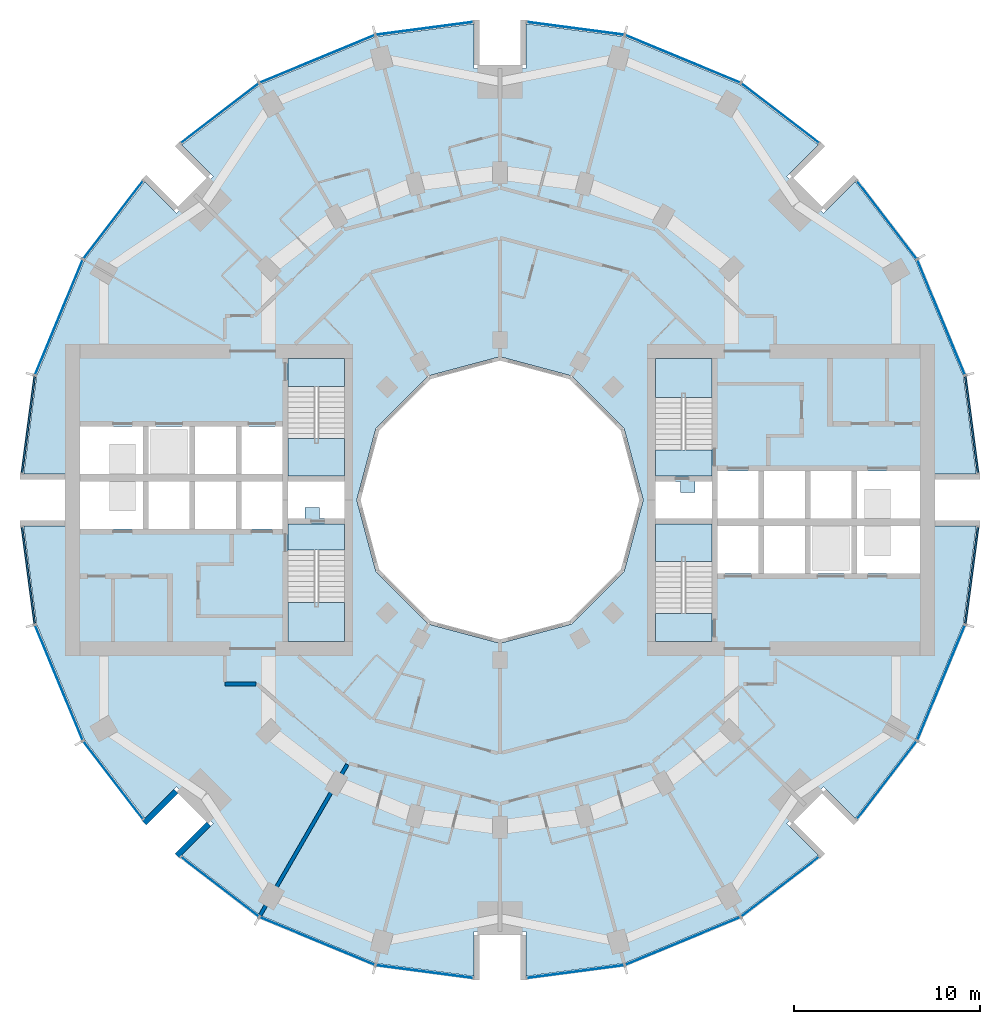
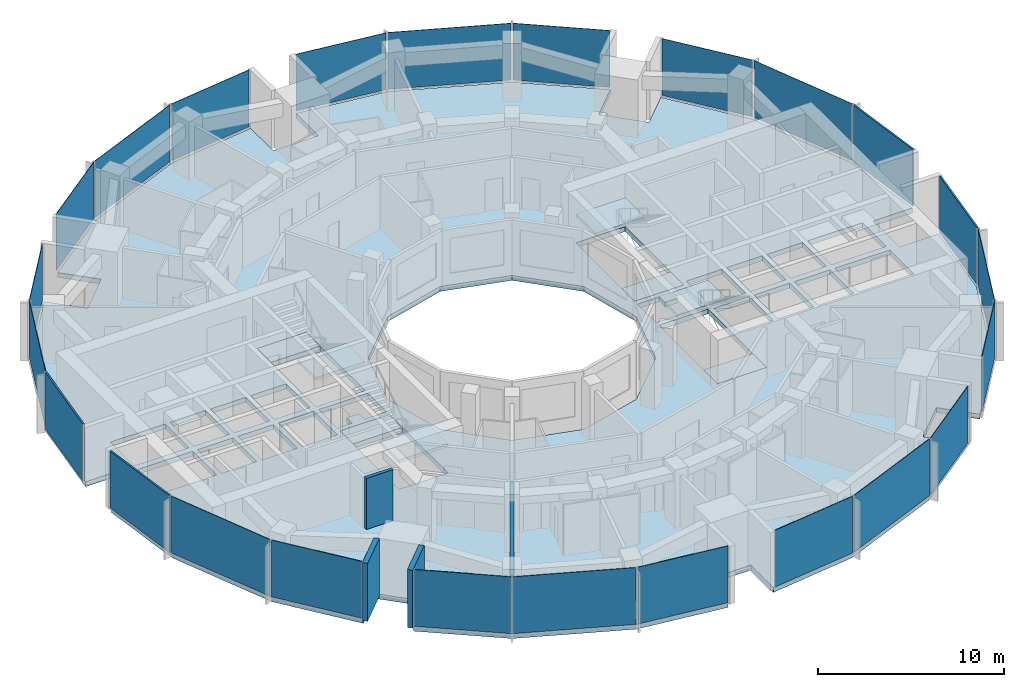
# One storey, part 7 of 15: 24 plates, 9 slabs, 4 walls, 28 elements without a shape of their own.
"""IFC4 building model written with IfcOpenShell, lengths in metres."""

from ifc_helpers import new_model, si_unit, direction, frame, frame_2d, origin, origin_2d, place, context, subcontext, project, spatial, polyline, rectangle, outline, extrude, material, layer, layer_set, type_object, element, aggregate, save


model = new_model("IFC4")

# Units and contexts
model_context = context("Model", 3, precision=1e-05, world=origin(), true_north=direction((0.0, 1.0)))
body_context = subcontext(model_context, "Body", "Model", "MODEL_VIEW")
ifc_project = project(units=[si_unit("LENGTHUNIT", "METRE"), si_unit("AREAUNIT", "SQUARE_METRE"), si_unit("VOLUMEUNIT", "CUBIC_METRE"), si_unit("PLANEANGLEUNIT", "RADIAN"), si_unit("MASSUNIT", "GRAM", prefix="KILO")], contexts=[model_context])

# Site, building, storey
site_placement = place(None, origin())
site = spatial("IfcSite", under=ifc_project, at=site_placement, CompositionType="ELEMENT")
building_placement = place(site_placement, origin())
building = spatial("IfcBuilding", under=site, at=building_placement, Name="Torre Brocal", CompositionType="ELEMENT")
storey_placement = place(building_placement, frame((0.0, 0.0, 63.0)))
storey = spatial("IfcBuildingStorey", under=building, at=storey_placement, Name="L14", CompositionType="ELEMENT", Elevation=63.0)

# Curtain wall, plate
ifc_material_1 = material(Name="Aluminium and glass", Category="aluminium")
ifc_layer_1 = layer(ifc_material_1, 0.199951171875)
ifc_layer_set_1 = layer_set([ifc_layer_1], Name="Aluminium and glass")
curtain_wall_type_1 = type_object("IfcCurtainWallType", Name="CW-1 CURTAIN WALL 3800 HIGH", PredefinedType="NOTDEFINED", material=ifc_layer_set_1)
curtain_wall_1_placement = place(storey_placement, origin())
curtain_wall_1 = element("IfcCurtainWall", 1, at=curtain_wall_1_placement, inside=storey, type_object=curtain_wall_type_1, Name="CW-1 RUN 2", PredefinedType="NOTDEFINED")
ifc_material_2 = material(Name="Glass, dark tinted laminated", Category="glass")
ifc_layer_2 = layer(ifc_material_2, 0.031982421875)
ifc_layer_set_2 = layer_set([ifc_layer_2], Name="Glass, dark tinted laminated")
plate_type_1 = type_object("IfcPlateType", Name="CW-1 GLASS PANEL 32", PredefinedType="CURTAIN_PANEL", material=ifc_layer_set_2)
plate_1_placement = place(storey_placement, frame((103.722900390625, 84.826416015625, 0.080078125), z_axis=(0.0, 0.0, 1.0), x_axis=(-0.382683432333, 0.923879532525, 0.0)))
plate_1 = element("IfcPlate", 2, at=plate_1_placement, type_object=plate_type_1, Name="CW1-1 panel 1.1", PredefinedType="CURTAIN_PANEL", context=body_context, shape_type="SweptSolid", body=[
    extrude(rectangle(XDim=6.64111328125, YDim=0.031982421875, at=origin_2d()), origin(), (0.0, 0.0, 1.0), 3.719970703125),
])
aggregate(curtain_wall_1, [plate_1])

curtain_wall_2_placement = place(storey_placement, origin())
curtain_wall_2 = element("IfcCurtainWall", 3, at=curtain_wall_2_placement, inside=storey, type_object=curtain_wall_type_1, Name="CW-1 RUN 3", PredefinedType="NOTDEFINED")
plate_2_placement = place(storey_placement, frame((100.80126953125, 90.0712890625, 0.080078125), z_axis=(0.0, 0.0, 1.0), x_axis=(-0.60876142905, 0.793353340259, 0.0)))
plate_2 = element("IfcPlate", 4, at=plate_2_placement, type_object=plate_type_1, Name="CW1-1 panel 1.1", PredefinedType="CURTAIN_PANEL", context=body_context, shape_type="SweptSolid", body=[
    extrude(rectangle(XDim=5.22900390625, YDim=0.031982421875, at=origin_2d()), origin(), (0.0, 0.0, 1.0), 3.719970703125),
])
aggregate(curtain_wall_2, [plate_2])

curtain_wall_3_placement = place(storey_placement, origin())
curtain_wall_3 = element("IfcCurtainWall", 5, at=curtain_wall_3_placement, inside=storey, type_object=curtain_wall_type_1, Name="CW-1 RUN 4", PredefinedType="NOTDEFINED")
plate_3_placement = place(storey_placement, frame((95.0712890625, 95.80126953125, 0.080078125), z_axis=(0.0, 0.0, 1.0), x_axis=(-0.793353340259, 0.60876142905, 0.0)))
plate_3 = element("IfcPlate", 6, at=plate_3_placement, type_object=plate_type_1, Name="CW1-1 panel 1.1", PredefinedType="CURTAIN_PANEL", context=body_context, shape_type="SweptSolid", body=[
    extrude(rectangle(XDim=5.22900390625, YDim=0.031982421875, at=origin_2d()), origin(), (0.0, 0.0, 1.0), 3.719970703125),
])
aggregate(curtain_wall_3, [plate_3])

curtain_wall_4_placement = place(storey_placement, origin())
curtain_wall_4 = element("IfcCurtainWall", 7, at=curtain_wall_4_placement, inside=storey, type_object=curtain_wall_type_1, Name="CW-1 RUN 5", PredefinedType="NOTDEFINED")
plate_4_placement = place(storey_placement, frame((89.826416015625, 98.722900390625, 0.080078125), z_axis=(0.0, 0.0, 1.0), x_axis=(-0.923879532525, 0.382683432333, 0.0)))
plate_4 = element("IfcPlate", 8, at=plate_4_placement, type_object=plate_type_1, Name="CW1-1 panel 1.1", PredefinedType="CURTAIN_PANEL", context=body_context, shape_type="SweptSolid", body=[
    extrude(rectangle(XDim=6.64111328125, YDim=0.031982421875, at=origin_2d()), origin(), (0.0, 0.0, 1.0), 3.719970703125),
])
aggregate(curtain_wall_4, [plate_4])

curtain_wall_5_placement = place(storey_placement, origin())
curtain_wall_5 = element("IfcCurtainWall", 9, at=curtain_wall_5_placement, inside=storey, type_object=curtain_wall_type_1, Name="CW-1 RUN 6", PredefinedType="NOTDEFINED")
plate_5_placement = place(storey_placement, frame((84.051513671875, 100.36572265625, 0.080078125), z_axis=(0.0, 0.0, 1.0), x_axis=(-0.991444861374, 0.13052619222, 0.0)))
plate_5 = element("IfcPlate", 10, at=plate_5_placement, type_object=plate_type_1, Name="CW1-1 panel 1.1", PredefinedType="CURTAIN_PANEL", context=body_context, shape_type="SweptSolid", body=[
    extrude(rectangle(XDim=5.22900390625, YDim=0.031982421875, at=origin_2d()), origin(), (0.0, 0.0, 1.0), 3.719970703125),
])
aggregate(curtain_wall_5, [plate_5])

curtain_wall_6_placement = place(storey_placement, origin())
curtain_wall_6 = element("IfcCurtainWall", 11, at=curtain_wall_6_placement, inside=storey, type_object=curtain_wall_type_1, Name="CW-1 RUN 7", PredefinedType="NOTDEFINED")
plate_6_placement = place(storey_placement, frame((75.948486328125, 100.36572265625, 0.080078125), z_axis=(0.0, 0.0, 1.0), x_axis=(-0.991444861374, -0.13052619222, 0.0)))
plate_6 = element("IfcPlate", 12, at=plate_6_placement, type_object=plate_type_1, Name="CW1-1 panel 1.1", PredefinedType="CURTAIN_PANEL", context=body_context, shape_type="SweptSolid", body=[
    extrude(rectangle(XDim=5.22900390625, YDim=0.031982421875, at=origin_2d()), origin(), (0.0, 0.0, 1.0), 3.719970703125),
])
aggregate(curtain_wall_6, [plate_6])

curtain_wall_7_placement = place(storey_placement, origin())
curtain_wall_7 = element("IfcCurtainWall", 13, at=curtain_wall_7_placement, inside=storey, type_object=curtain_wall_type_1, Name="CW-1 RUN 8", PredefinedType="NOTDEFINED")
plate_7_placement = place(storey_placement, frame((70.173583984375, 98.722900390625, 0.080078125), z_axis=(0.0, 0.0, 1.0), x_axis=(-0.923879532525, -0.382683432333, 0.0)))
plate_7 = element("IfcPlate", 14, at=plate_7_placement, type_object=plate_type_1, Name="CW1-1 panel 1.1", PredefinedType="CURTAIN_PANEL", context=body_context, shape_type="SweptSolid", body=[
    extrude(rectangle(XDim=6.64111328125, YDim=0.031982421875, at=origin_2d()), origin(), (0.0, 0.0, 1.0), 3.719970703125),
])
aggregate(curtain_wall_7, [plate_7])

curtain_wall_8_placement = place(storey_placement, origin())
curtain_wall_8 = element("IfcCurtainWall", 15, at=curtain_wall_8_placement, inside=storey, type_object=curtain_wall_type_1, Name="CW-1 RUN 9", PredefinedType="NOTDEFINED")
plate_8_placement = place(storey_placement, frame((64.9287109375, 95.80126953125, 0.080078125), z_axis=(0.0, 0.0, 1.0), x_axis=(-0.793353340259, -0.60876142905, 0.0)))
plate_8 = element("IfcPlate", 16, at=plate_8_placement, type_object=plate_type_1, Name="CW1-1 panel 1.1", PredefinedType="CURTAIN_PANEL", context=body_context, shape_type="SweptSolid", body=[
    extrude(rectangle(XDim=5.22900390625, YDim=0.031982421875, at=origin_2d()), origin(), (0.0, 0.0, 1.0), 3.719970703125),
])
aggregate(curtain_wall_8, [plate_8])

curtain_wall_9_placement = place(storey_placement, origin())
curtain_wall_9 = element("IfcCurtainWall", 17, at=curtain_wall_9_placement, inside=storey, type_object=curtain_wall_type_1, Name="CW-1 RUN 10", PredefinedType="NOTDEFINED")
plate_9_placement = place(storey_placement, frame((59.19873046875, 90.0712890625, 0.080078125), z_axis=(0.0, 0.0, 1.0), x_axis=(-0.60876142905, -0.793353340259, 0.0)))
plate_9 = element("IfcPlate", 18, at=plate_9_placement, type_object=plate_type_1, Name="CW1-1 panel 1.1", PredefinedType="CURTAIN_PANEL", context=body_context, shape_type="SweptSolid", body=[
    extrude(rectangle(XDim=5.22900390625, YDim=0.031982421875, at=origin_2d()), origin(), (0.0, 0.0, 1.0), 3.719970703125),
])
aggregate(curtain_wall_9, [plate_9])

curtain_wall_10_placement = place(storey_placement, origin())
curtain_wall_10 = element("IfcCurtainWall", 19, at=curtain_wall_10_placement, inside=storey, type_object=curtain_wall_type_1, Name="CW-1 RUN 11", PredefinedType="NOTDEFINED")
plate_10_placement = place(storey_placement, frame((56.277099609375, 84.826416015625, 0.080078125), z_axis=(0.0, 0.0, 1.0), x_axis=(-0.382683432333, -0.923879532525, 0.0)))
plate_10 = element("IfcPlate", 20, at=plate_10_placement, type_object=plate_type_1, Name="CW1-1 panel 1.1", PredefinedType="CURTAIN_PANEL", context=body_context, shape_type="SweptSolid", body=[
    extrude(rectangle(XDim=6.64111328125, YDim=0.031982421875, at=origin_2d()), origin(), (0.0, 0.0, 1.0), 3.719970703125),
])
aggregate(curtain_wall_10, [plate_10])

curtain_wall_11_placement = place(storey_placement, origin())
curtain_wall_11 = element("IfcCurtainWall", 21, at=curtain_wall_11_placement, inside=storey, type_object=curtain_wall_type_1, Name="CW-1 RUN 14", PredefinedType="NOTDEFINED")
plate_11_placement = place(storey_placement, frame((56.277099609375, 65.173583984375, 0.080078125), z_axis=(0.0, 0.0, 1.0), x_axis=(0.382683432333, -0.923879532525, 0.0)))
plate_11 = element("IfcPlate", 22, at=plate_11_placement, type_object=plate_type_1, Name="CW1-1 panel 1.1", PredefinedType="CURTAIN_PANEL", context=body_context, shape_type="SweptSolid", body=[
    extrude(rectangle(XDim=6.64111328125, YDim=0.031982421875, at=origin_2d()), origin(), (0.0, 0.0, 1.0), 3.719970703125),
])
aggregate(curtain_wall_11, [plate_11])

curtain_wall_12_placement = place(storey_placement, origin())
curtain_wall_12 = element("IfcCurtainWall", 23, at=curtain_wall_12_placement, inside=storey, type_object=curtain_wall_type_1, Name="CW-1 RUN 15", PredefinedType="NOTDEFINED")
plate_12_placement = place(storey_placement, frame((59.19873046875, 59.9287109375, 0.080078125), z_axis=(0.0, 0.0, 1.0), x_axis=(0.60876142905, -0.793353340259, 0.0)))
plate_12 = element("IfcPlate", 24, at=plate_12_placement, type_object=plate_type_1, Name="CW1-1 panel 1.1", PredefinedType="CURTAIN_PANEL", context=body_context, shape_type="SweptSolid", body=[
    extrude(rectangle(XDim=5.22900390625, YDim=0.031982421875, at=origin_2d()), origin(), (0.0, 0.0, 1.0), 3.719970703125),
])
aggregate(curtain_wall_12, [plate_12])

curtain_wall_13_placement = place(storey_placement, origin())
curtain_wall_13 = element("IfcCurtainWall", 25, at=curtain_wall_13_placement, inside=storey, type_object=curtain_wall_type_1, Name="CW-1 RUN 16", PredefinedType="NOTDEFINED")
plate_13_placement = place(storey_placement, frame((64.9287109375, 54.19873046875, 0.080078125), z_axis=(0.0, 0.0, 1.0), x_axis=(0.793353340259, -0.60876142905, 0.0)))
plate_13 = element("IfcPlate", 26, at=plate_13_placement, type_object=plate_type_1, Name="CW1-1 panel 1.1", PredefinedType="CURTAIN_PANEL", context=body_context, shape_type="SweptSolid", body=[
    extrude(rectangle(XDim=5.22900390625, YDim=0.031982421875, at=origin_2d()), origin(), (0.0, 0.0, 1.0), 3.719970703125),
])
aggregate(curtain_wall_13, [plate_13])

curtain_wall_14_placement = place(storey_placement, origin())
curtain_wall_14 = element("IfcCurtainWall", 27, at=curtain_wall_14_placement, inside=storey, type_object=curtain_wall_type_1, Name="CW-1 RUN 17", PredefinedType="NOTDEFINED")
plate_14_placement = place(storey_placement, frame((70.173583984375, 51.277099609375, 0.080078125), z_axis=(0.0, 0.0, 1.0), x_axis=(0.923879532525, -0.382683432333, 0.0)))
plate_14 = element("IfcPlate", 28, at=plate_14_placement, type_object=plate_type_1, Name="CW1-1 panel 1.1", PredefinedType="CURTAIN_PANEL", context=body_context, shape_type="SweptSolid", body=[
    extrude(rectangle(XDim=6.64111328125, YDim=0.031982421875, at=origin_2d()), origin(), (0.0, 0.0, 1.0), 3.719970703125),
])
aggregate(curtain_wall_14, [plate_14])

curtain_wall_15_placement = place(storey_placement, origin())
curtain_wall_15 = element("IfcCurtainWall", 29, at=curtain_wall_15_placement, inside=storey, type_object=curtain_wall_type_1, Name="CW-1 RUN 18", PredefinedType="NOTDEFINED")
plate_15_placement = place(storey_placement, frame((75.948486328125, 49.63427734375, 0.080078125), z_axis=(0.0, 0.0, 1.0), x_axis=(0.991444861374, -0.13052619222, 0.0)))
plate_15 = element("IfcPlate", 30, at=plate_15_placement, type_object=plate_type_1, Name="CW1-1 panel 1.1", PredefinedType="CURTAIN_PANEL", context=body_context, shape_type="SweptSolid", body=[
    extrude(rectangle(XDim=5.22900390625, YDim=0.031982421875, at=origin_2d()), origin(), (0.0, 0.0, 1.0), 3.719970703125),
])
aggregate(curtain_wall_15, [plate_15])

curtain_wall_16_placement = place(storey_placement, origin())
curtain_wall_16 = element("IfcCurtainWall", 31, at=curtain_wall_16_placement, inside=storey, type_object=curtain_wall_type_1, Name="CW-1 RUN 19", PredefinedType="NOTDEFINED")
plate_16_placement = place(storey_placement, frame((84.051513671875, 49.63427734375, 0.080078125), z_axis=(0.0, 0.0, 1.0), x_axis=(0.991444861374, 0.13052619222, 0.0)))
plate_16 = element("IfcPlate", 32, at=plate_16_placement, type_object=plate_type_1, Name="CW1-1 panel 1.1", PredefinedType="CURTAIN_PANEL", context=body_context, shape_type="SweptSolid", body=[
    extrude(rectangle(XDim=5.22900390625, YDim=0.031982421875, at=origin_2d()), origin(), (0.0, 0.0, 1.0), 3.719970703125),
])
aggregate(curtain_wall_16, [plate_16])

curtain_wall_17_placement = place(storey_placement, origin())
curtain_wall_17 = element("IfcCurtainWall", 33, at=curtain_wall_17_placement, inside=storey, type_object=curtain_wall_type_1, Name="CW-1 RUN 20", PredefinedType="NOTDEFINED")
plate_17_placement = place(storey_placement, frame((89.826416015625, 51.277099609375, 0.080078125), z_axis=(0.0, 0.0, 1.0), x_axis=(0.923879532525, 0.382683432333, 0.0)))
plate_17 = element("IfcPlate", 34, at=plate_17_placement, type_object=plate_type_1, Name="CW1-1 panel 1.1", PredefinedType="CURTAIN_PANEL", context=body_context, shape_type="SweptSolid", body=[
    extrude(rectangle(XDim=6.64111328125, YDim=0.031982421875, at=origin_2d()), origin(), (0.0, 0.0, 1.0), 3.719970703125),
])
aggregate(curtain_wall_17, [plate_17])

curtain_wall_18_placement = place(storey_placement, origin())
curtain_wall_18 = element("IfcCurtainWall", 35, at=curtain_wall_18_placement, inside=storey, type_object=curtain_wall_type_1, Name="CW-1 RUN 21", PredefinedType="NOTDEFINED")
plate_18_placement = place(storey_placement, frame((95.0712890625, 54.19873046875, 0.080078125), z_axis=(0.0, 0.0, 1.0), x_axis=(0.793353340259, 0.60876142905, 0.0)))
plate_18 = element("IfcPlate", 36, at=plate_18_placement, type_object=plate_type_1, Name="CW1-1 panel 1.1", PredefinedType="CURTAIN_PANEL", context=body_context, shape_type="SweptSolid", body=[
    extrude(rectangle(XDim=5.22900390625, YDim=0.031982421875, at=origin_2d()), origin(), (0.0, 0.0, 1.0), 3.719970703125),
])
aggregate(curtain_wall_18, [plate_18])

curtain_wall_19_placement = place(storey_placement, origin())
curtain_wall_19 = element("IfcCurtainWall", 37, at=curtain_wall_19_placement, inside=storey, type_object=curtain_wall_type_1, Name="CW-1 RUN 22", PredefinedType="NOTDEFINED")
plate_19_placement = place(storey_placement, frame((100.80126953125, 59.9287109375, 0.080078125), z_axis=(0.0, 0.0, 1.0), x_axis=(0.60876142905, 0.793353340259, 0.0)))
plate_19 = element("IfcPlate", 38, at=plate_19_placement, type_object=plate_type_1, Name="CW1-1 panel 1.1", PredefinedType="CURTAIN_PANEL", context=body_context, shape_type="SweptSolid", body=[
    extrude(rectangle(XDim=5.22900390625, YDim=0.031982421875, at=origin_2d()), origin(), (0.0, 0.0, 1.0), 3.719970703125),
])
aggregate(curtain_wall_19, [plate_19])

curtain_wall_20_placement = place(storey_placement, origin())
curtain_wall_20 = element("IfcCurtainWall", 39, at=curtain_wall_20_placement, inside=storey, type_object=curtain_wall_type_1, Name="CW-1 RUN 23", PredefinedType="NOTDEFINED")
plate_20_placement = place(storey_placement, frame((103.722900390625, 65.173583984375, 0.080078125), z_axis=(0.0, 0.0, 1.0), x_axis=(0.382683432333, 0.923879532525, 0.0)))
plate_20 = element("IfcPlate", 40, at=plate_20_placement, type_object=plate_type_1, Name="CW1-1 panel 1.1", PredefinedType="CURTAIN_PANEL", context=body_context, shape_type="SweptSolid", body=[
    extrude(rectangle(XDim=6.64111328125, YDim=0.031982421875, at=origin_2d()), origin(), (0.0, 0.0, 1.0), 3.719970703125),
])
aggregate(curtain_wall_20, [plate_20])

ifc_material_3 = material(Name="Aluminium and glass", Category="aluminium")
ifc_layer_3 = layer(ifc_material_3, 0.199951171875)
ifc_layer_set_3 = layer_set([ifc_layer_3], Name="Aluminium and glass")
curtain_wall_type_2 = type_object("IfcCurtainWallType", Name="CW-1B CURTAIN WALL 3800 HIGH", PredefinedType="NOTDEFINED", material=ifc_layer_set_3)
curtain_wall_21_placement = place(storey_placement, origin())
curtain_wall_21 = element("IfcCurtainWall", 41, at=curtain_wall_21_placement, inside=storey, type_object=curtain_wall_type_2, Name="CW-1B RUN 1", PredefinedType="NOTDEFINED")
ifc_material_4 = material(Name="Aluminium composite panel", Category="aluminium")
ifc_layer_4 = layer(ifc_material_4, 0.10009765625)
ifc_layer_set_4 = layer_set([ifc_layer_4], Name="Aluminium composite panel")
plate_type_2 = type_object("IfcPlateType", Name="CW-1B OPAQUE PANEL 100", PredefinedType="CURTAIN_PANEL", material=ifc_layer_set_4)
plate_21_placement = place(storey_placement, frame((105.36572265625, 79.051513671875, 0.080078125), z_axis=(0.0, 0.0, 1.0), x_axis=(-0.13052619222, 0.991444861374, 0.0)))
plate_21 = element("IfcPlate", 42, at=plate_21_placement, type_object=plate_type_2, Name="CW1B-1 panel 1.1", PredefinedType="CURTAIN_PANEL", context=body_context, shape_type="SweptSolid", body=[
    extrude(rectangle(XDim=5.22900390625, YDim=0.10009765625, at=origin_2d()), origin(), (0.0, 0.0, 1.0), 3.719970703125),
])
aggregate(curtain_wall_21, [plate_21])

curtain_wall_22_placement = place(storey_placement, origin())
curtain_wall_22 = element("IfcCurtainWall", 43, at=curtain_wall_22_placement, inside=storey, type_object=curtain_wall_type_2, Name="CW-1B RUN 12", PredefinedType="NOTDEFINED")
plate_22_placement = place(storey_placement, frame((54.63427734375, 79.051513671875, 0.080078125), z_axis=(0.0, 0.0, 1.0), x_axis=(-0.13052619222, -0.991444861374, 0.0)))
plate_22 = element("IfcPlate", 44, at=plate_22_placement, type_object=plate_type_2, Name="CW1B-1 panel 1.1", PredefinedType="CURTAIN_PANEL", context=body_context, shape_type="SweptSolid", body=[
    extrude(rectangle(XDim=5.22900390625, YDim=0.10009765625, at=origin_2d()), origin(), (0.0, 0.0, 1.0), 3.719970703125),
])
aggregate(curtain_wall_22, [plate_22])

curtain_wall_23_placement = place(storey_placement, origin())
curtain_wall_23 = element("IfcCurtainWall", 45, at=curtain_wall_23_placement, inside=storey, type_object=curtain_wall_type_2, Name="CW-1B RUN 13", PredefinedType="NOTDEFINED")
plate_23_placement = place(storey_placement, frame((54.63427734375, 70.948486328125, 0.080078125), z_axis=(0.0, 0.0, 1.0), x_axis=(0.13052619222, -0.991444861374, 0.0)))
plate_23 = element("IfcPlate", 46, at=plate_23_placement, type_object=plate_type_2, Name="CW1B-1 panel 1.1", PredefinedType="CURTAIN_PANEL", context=body_context, shape_type="SweptSolid", body=[
    extrude(rectangle(XDim=5.22900390625, YDim=0.10009765625, at=origin_2d()), origin(), (0.0, 0.0, 1.0), 3.719970703125),
])
aggregate(curtain_wall_23, [plate_23])

curtain_wall_24_placement = place(storey_placement, origin())
curtain_wall_24 = element("IfcCurtainWall", 47, at=curtain_wall_24_placement, inside=storey, type_object=curtain_wall_type_2, Name="CW-1B RUN 24", PredefinedType="NOTDEFINED")
plate_24_placement = place(storey_placement, frame((105.36572265625, 70.948486328125, 0.080078125), z_axis=(0.0, 0.0, 1.0), x_axis=(0.13052619222, 0.991444861374, 0.0)))
plate_24 = element("IfcPlate", 48, at=plate_24_placement, type_object=plate_type_2, Name="CW1B-1 panel 1.1", PredefinedType="CURTAIN_PANEL", context=body_context, shape_type="SweptSolid", body=[
    extrude(rectangle(XDim=5.22900390625, YDim=0.10009765625, at=origin_2d()), origin(), (0.0, 0.0, 1.0), 3.719970703125),
])
aggregate(curtain_wall_24, [plate_24])

# Stair, slab
ifc_material_5 = material(Name="Concrete C50", Category="concrete")
stair_type = type_object("IfcStairType", Name="EXIT STAIR", PredefinedType="HALF_TURN_STAIR", material=ifc_material_5)
stair_1_placement = place(storey_placement, origin())
stair_1 = element("IfcStair", 49, at=stair_1_placement, inside=storey, type_object=stair_type, Name="EXIT STAIR ST1", PredefinedType="HALF_TURN_STAIR")
ifc_material_6 = material(Name="Concrete C50", Category="concrete")
ifc_layer_5 = layer(ifc_material_6, 0.320068359375)
ifc_layer_set_5 = layer_set([ifc_layer_5], Name="Concrete C50")
slab_type_1 = type_object("IfcSlabType", Name="FLOOR LANDING 320", PredefinedType="LANDING", material=ifc_layer_set_5)
slab_1_placement = place(storey_placement, frame((0.0, 0.0, -0.320068359375)))
slab_1 = element("IfcSlab", 50, at=slab_1_placement, type_object=slab_type_1, Name="ST1 landing 1", PredefinedType="LANDING", context=body_context, shape_type="SweptSolid", body=[
    extrude(outline(polyline([(88.35009765625, 76.300048828125), (91.39990234375, 76.300048828125), (91.39990234375, 77.699951171875), (88.35009765625, 77.699951171875), (88.35009765625, 76.300048828125)])), origin(), (0.0, 0.0, 1.0), 0.320068359375),
])

stair_2_placement = place(storey_placement, origin())
stair_2 = element("IfcStair", 51, at=stair_2_placement, inside=storey, type_object=stair_type, Name="EXIT STAIR ST2", PredefinedType="HALF_TURN_STAIR")
slab_2_placement = place(storey_placement, frame((0.0, 0.0, -0.320068359375)))
slab_2 = element("IfcSlab", 52, at=slab_2_placement, type_object=slab_type_1, Name="ST2 landing 1", PredefinedType="LANDING", context=body_context, shape_type="SweptSolid", body=[
    extrude(outline(polyline([(88.35009765625, 67.39990234375), (91.39990234375, 67.39990234375), (91.39990234375, 68.89990234375), (88.35009765625, 68.89990234375), (88.35009765625, 67.39990234375)])), origin(), (0.0, 0.0, 1.0), 0.320068359375),
])

stair_3_placement = place(storey_placement, origin())
stair_3 = element("IfcStair", 53, at=stair_3_placement, inside=storey, type_object=stair_type, Name="EXIT STAIR ST3", PredefinedType="HALF_TURN_STAIR")
slab_3_placement = place(storey_placement, frame((0.0, 0.0, -0.320068359375)))
slab_3 = element("IfcSlab", 54, at=slab_3_placement, type_object=slab_type_1, Name="ST3 landing 1", PredefinedType="LANDING", context=body_context, shape_type="SweptSolid", body=[
    extrude(outline(polyline([(71.64990234375, 73.699951171875), (68.60009765625, 73.699951171875), (68.60009765625, 72.300048828125), (71.64990234375, 72.300048828125), (71.64990234375, 73.699951171875)])), origin(), (0.0, 0.0, 1.0), 0.320068359375),
])

stair_4_placement = place(storey_placement, origin())
stair_4 = element("IfcStair", 55, at=stair_4_placement, inside=storey, type_object=stair_type, Name="EXIT STAIR ST4", PredefinedType="HALF_TURN_STAIR")
slab_4_placement = place(storey_placement, frame((0.0, 0.0, -0.320068359375)))
slab_4 = element("IfcSlab", 56, at=slab_4_placement, type_object=slab_type_1, Name="ST4 landing 1", PredefinedType="LANDING", context=body_context, shape_type="SweptSolid", body=[
    extrude(outline(polyline([(71.64990234375, 82.60009765625), (68.60009765625, 82.60009765625), (68.60009765625, 81.10009765625), (71.64990234375, 81.10009765625), (71.64990234375, 82.60009765625)])), origin(), (0.0, 0.0, 1.0), 0.320068359375),
])

# Slab
ifc_material_7 = material(Name="Concrete C50", Category="concrete")
ifc_layer_6 = layer(ifc_material_7, 0.199951171875)
ifc_layer_set_6 = layer_set([ifc_layer_6], Name="Concrete C50")
slab_type_2 = type_object("IfcSlabType", Name="MID LANDING +1900", PredefinedType="LANDING", material=ifc_layer_set_6)
slab_5_placement = place(storey_placement, frame((0.0, 0.0, 1.699951171875)))
slab_5 = element("IfcSlab", 57, at=slab_5_placement, type_object=slab_type_2, Name="ST1 landing 2", PredefinedType="LANDING", context=body_context, shape_type="SweptSolid", body=[
    extrude(outline(polyline([(88.35009765625, 80.5), (91.39990234375, 80.5), (91.39990234375, 82.60009765625), (88.35009765625, 82.60009765625), (88.35009765625, 80.5)])), origin(), (0.0, 0.0, 1.0), 0.199951171875),
])

aggregate(stair_1, [slab_1, slab_5])

slab_6_placement = place(storey_placement, frame((0.0, 0.0, 1.699951171875)))
slab_6 = element("IfcSlab", 58, at=slab_6_placement, type_object=slab_type_2, Name="ST2 landing 2", PredefinedType="LANDING", context=body_context, shape_type="SweptSolid", body=[
    extrude(outline(polyline([(88.35009765625, 71.699951171875), (91.39990234375, 71.699951171875), (91.39990234375, 73.699951171875), (88.35009765625, 73.699951171875), (88.35009765625, 71.699951171875)])), origin(), (0.0, 0.0, 1.0), 0.199951171875),
])

aggregate(stair_2, [slab_2, slab_6])

slab_7_placement = place(storey_placement, frame((0.0, 0.0, 1.699951171875)))
slab_7 = element("IfcSlab", 59, at=slab_7_placement, type_object=slab_type_2, Name="ST3 landing 2", PredefinedType="LANDING", context=body_context, shape_type="SweptSolid", body=[
    extrude(outline(polyline([(71.64990234375, 69.5), (68.60009765625, 69.5), (68.60009765625, 67.39990234375), (71.64990234375, 67.39990234375), (71.64990234375, 69.5)])), origin(), (0.0, 0.0, 1.0), 0.199951171875),
])

aggregate(stair_3, [slab_3, slab_7])

slab_8_placement = place(storey_placement, frame((0.0, 0.0, 1.699951171875)))
slab_8 = element("IfcSlab", 60, at=slab_8_placement, type_object=slab_type_2, Name="ST4 landing 2", PredefinedType="LANDING", context=body_context, shape_type="SweptSolid", body=[
    extrude(outline(polyline([(71.64990234375, 78.300048828125), (68.60009765625, 78.300048828125), (68.60009765625, 76.300048828125), (71.64990234375, 76.300048828125), (71.64990234375, 78.300048828125)])), origin(), (0.0, 0.0, 1.0), 0.199951171875),
])

aggregate(stair_4, [slab_4, slab_8])

ifc_material_8 = material(Name="Concrete C45", Category="concrete")
ifc_layer_7 = layer(ifc_material_8, 0.320068359375)
ifc_layer_set_7 = layer_set([ifc_layer_7], Name="Concrete C45")
slab_type_3 = type_object("IfcSlabType", Name="PT FLOOR SLAB 320 C45", PredefinedType="FLOOR", material=ifc_layer_set_7)
slab_9_placement = place(storey_placement, frame((0.0, 0.0, -0.320068359375)))
element("IfcSlab", 61, at=slab_9_placement, inside=storey, type_object=slab_type_3, Name="Slab ST-05", PredefinedType="FLOOR", context=body_context, shape_type="SweptSolid", body=[
    extrude(outline(polyline([(103.199951171875, 76.39990234375), (103.199951171875, 73.60009765625), (105.614013671875, 73.60009765625), (104.919189453125, 68.322998046875), (102.342041015625, 62.100830078125), (99.101806640625, 57.878173828125), (97.394775390625, 59.5849609375), (95.4150390625, 57.605224609375), (97.121826171875, 55.898193359375), (92.899169921875, 52.657958984375), (86.677001953125, 50.080810546875), (81.39990234375, 49.385986328125), (81.39990234375, 51.800048828125), (78.60009765625, 51.800048828125), (78.60009765625, 49.385986328125), (73.322998046875, 50.080810546875), (67.100830078125, 52.657958984375), (62.878173828125, 55.898193359375), (64.5849609375, 57.605224609375), (62.605224609375, 59.5849609375), (60.898193359375, 57.878173828125), (57.657958984375, 62.100830078125), (55.080810546875, 68.322998046875), (54.385986328125, 73.60009765625), (56.800048828125, 73.60009765625), (56.800048828125, 76.39990234375), (54.385986328125, 76.39990234375), (55.080810546875, 81.677001953125), (57.657958984375, 87.899169921875), (60.898193359375, 92.121826171875), (62.605224609375, 90.4150390625), (64.5849609375, 92.394775390625), (62.878173828125, 94.101806640625), (67.100830078125, 97.342041015625), (73.322998046875, 99.919189453125), (78.60009765625, 100.614013671875), (78.60009765625, 98.199951171875), (81.39990234375, 98.199951171875), (81.39990234375, 100.614013671875), (86.677001953125, 99.919189453125), (92.899169921875, 97.342041015625), (97.121826171875, 94.101806640625), (95.4150390625, 92.394775390625), (97.394775390625, 90.4150390625), (99.101806640625, 92.121826171875), (102.342041015625, 87.899169921875), (104.919189453125, 81.677001953125), (105.614013671875, 76.39990234375), (103.199951171875, 76.39990234375)]), holes=[polyline([(102.60009765625, 74.0), (102.60009765625, 76.550048828125), (99.199951171875, 76.550048828125), (99.199951171875, 74.0), (102.60009765625, 74.0)]), polyline([(102.60009765625, 71.050048828125), (102.60009765625, 73.60009765625), (99.199951171875, 73.60009765625), (99.199951171875, 71.050048828125), (102.60009765625, 71.050048828125)]), polyline([(98.89990234375, 76.550048828125), (96.699951171875, 76.550048828125), (96.699951171875, 74.0), (98.89990234375, 74.0), (98.89990234375, 76.550048828125)]), polyline([(98.89990234375, 71.050048828125), (98.89990234375, 73.60009765625), (96.699951171875, 73.60009765625), (96.699951171875, 71.050048828125), (98.89990234375, 71.050048828125)]), polyline([(96.39990234375, 73.60009765625), (94.199951171875, 73.60009765625), (94.199951171875, 71.050048828125), (96.39990234375, 71.050048828125), (96.39990234375, 73.60009765625)]), polyline([(96.39990234375, 74.0), (96.39990234375, 76.550048828125), (94.199951171875, 76.550048828125), (94.199951171875, 74.0), (96.39990234375, 74.0)]), polyline([(93.89990234375, 73.60009765625), (91.699951171875, 73.60009765625), (91.699951171875, 71.050048828125), (93.89990234375, 71.050048828125), (93.89990234375, 73.60009765625)]), polyline([(93.89990234375, 74.0), (93.89990234375, 76.550048828125), (91.699951171875, 76.550048828125), (91.699951171875, 74.0), (93.89990234375, 74.0)]), polyline([(91.39990234375, 76.300048828125), (91.39990234375, 82.60009765625), (88.35009765625, 82.60009765625), (88.35009765625, 76.300048828125), (91.39990234375, 76.300048828125)]), polyline([(91.39990234375, 73.699951171875), (88.35009765625, 73.699951171875), (88.35009765625, 67.39990234375), (91.39990234375, 67.39990234375), (91.39990234375, 73.699951171875)]), polyline([(89.699951171875, 76.0), (88.35009765625, 76.0), (88.35009765625, 74.0), (91.39990234375, 74.0), (91.39990234375, 76.0), (90.5, 76.0), (90.5, 75.39990234375), (89.699951171875, 75.39990234375), (89.699951171875, 76.0)]), polyline([(80.0, 82.70703125), (76.146484375, 81.674560546875), (73.325439453125, 78.853515625), (72.29296875, 75.0), (73.325439453125, 71.146484375), (76.146484375, 68.325439453125), (80.0, 67.29296875), (83.853515625, 68.325439453125), (86.674560546875, 71.146484375), (87.70703125, 75.0), (86.674560546875, 78.853515625), (83.853515625, 81.674560546875), (80.0, 82.70703125)]), polyline([(68.60009765625, 82.60009765625), (68.60009765625, 76.300048828125), (71.64990234375, 76.300048828125), (71.64990234375, 82.60009765625), (68.60009765625, 82.60009765625)]), polyline([(70.300048828125, 74.0), (71.64990234375, 74.0), (71.64990234375, 76.0), (68.60009765625, 76.0), (68.60009765625, 74.0), (69.5, 74.0), (69.5, 74.60009765625), (70.300048828125, 74.60009765625), (70.300048828125, 74.0)]), polyline([(68.60009765625, 67.39990234375), (71.64990234375, 67.39990234375), (71.64990234375, 73.699951171875), (68.60009765625, 73.699951171875), (68.60009765625, 67.39990234375)]), polyline([(66.10009765625, 78.949951171875), (66.10009765625, 76.39990234375), (68.300048828125, 76.39990234375), (68.300048828125, 78.949951171875), (66.10009765625, 78.949951171875)]), polyline([(66.10009765625, 76.0), (66.10009765625, 73.449951171875), (68.300048828125, 73.449951171875), (68.300048828125, 76.0), (66.10009765625, 76.0)]), polyline([(63.60009765625, 76.0), (63.60009765625, 73.449951171875), (65.800048828125, 73.449951171875), (65.800048828125, 76.0), (63.60009765625, 76.0)]), polyline([(63.60009765625, 76.39990234375), (65.800048828125, 76.39990234375), (65.800048828125, 78.949951171875), (63.60009765625, 78.949951171875), (63.60009765625, 76.39990234375)]), polyline([(61.10009765625, 78.949951171875), (61.10009765625, 76.39990234375), (63.300048828125, 76.39990234375), (63.300048828125, 78.949951171875), (61.10009765625, 78.949951171875)]), polyline([(61.10009765625, 73.449951171875), (63.300048828125, 73.449951171875), (63.300048828125, 76.0), (61.10009765625, 76.0), (61.10009765625, 73.449951171875)]), polyline([(57.39990234375, 73.449951171875), (60.800048828125, 73.449951171875), (60.800048828125, 76.0), (57.39990234375, 76.0), (57.39990234375, 73.449951171875)]), polyline([(57.39990234375, 78.949951171875), (57.39990234375, 76.39990234375), (60.800048828125, 76.39990234375), (60.800048828125, 78.949951171875), (57.39990234375, 78.949951171875)])]), origin(), (0.0, 0.0, 1.0), 0.320068359375),
])

# Walls
ifc_material_9 = material(Name="Concrete C80", Category="concrete")
ifc_layer_8 = layer(ifc_material_9, 0.300048828125)
ifc_layer_set_8 = layer_set([ifc_layer_8], Name="Concrete C80")
wall_type_1 = type_object("IfcWallType", Name="NOTCH RETURN WALL 300 C80", PredefinedType="NOTDEFINED", material=ifc_layer_set_8)
for number, where, z_axis, x_axis, name in (
    (62, (62.56982421875, 59.337646484375, 0.0), (0.0, 0.0, 1.0), (-0.707106781187, -0.707106781187, 0.0), "NOTCH RETURN WALL"),
    (63, (64.337646484375, 57.56982421875, 0.0), (0.0, 0.0, 1.0), (-0.707106781187, -0.707106781187, 0.0), "NOTCH RETURN WALL"),
):
    element("IfcWall", number, at=place(storey_placement, frame(where, z_axis=z_axis, x_axis=x_axis)), inside=storey, type_object=wall_type_1, Name=name, PredefinedType="NOTDEFINED", context=body_context, shape_type="SweptSolid", body=[
        extrude(rectangle(XDim=2.415771484375, YDim=0.300048828125, at=frame_2d((1.2080078125, 0.0))), origin(), (0.0, 0.0, 1.0), 3.800048828125),
    ])
ifc_material_10 = material(Name="Gypsum board", Category="Gypsum")
ifc_layer_9 = layer(ifc_material_10, 0.199951171875)
ifc_layer_set_9 = layer_set([ifc_layer_9], Name="Gypsum board")
wall_type_2 = type_object("IfcWallType", Name="PARTITION 200 EI60", PredefinedType="PARTITIONING", material=ifc_layer_set_9)
wall_1_placement = place(storey_placement, frame((65.199951171875, 65.10009765625, 0.0), z_axis=(0.0, 0.0, 1.0), x_axis=(1.0, 0.0, 0.0)))
element("IfcWall", 64, at=wall_1_placement, inside=storey, type_object=wall_type_2, Name="CORRIDOR WALL", PredefinedType="PARTITIONING", context=body_context, shape_type="SweptSolid", body=[
    extrude(rectangle(XDim=1.6650390625, YDim=0.199951171875, at=frame_2d((0.83251953125, 0.0))), origin(), (0.0, 0.0, 1.0), 3.35009765625),
])
wall_2_placement = place(storey_placement, frame((67.09912109375, 52.6611328125, 0.0), z_axis=(0.0, 0.0, 1.0), x_axis=(0.500234203776, 0.86589014394, 0.0)))
element("IfcWall", 65, at=wall_2_placement, inside=storey, type_object=wall_type_2, Name="PARTY PARTITION", PredefinedType="PARTITIONING", context=body_context, shape_type="SweptSolid", body=[
    extrude(rectangle(XDim=9.37353515625, YDim=0.199951171875, at=frame_2d((4.686767578125, 0.0))), origin(), (0.0, 0.0, 1.0), 3.35009765625),
])

save(model, "model.ifc")
